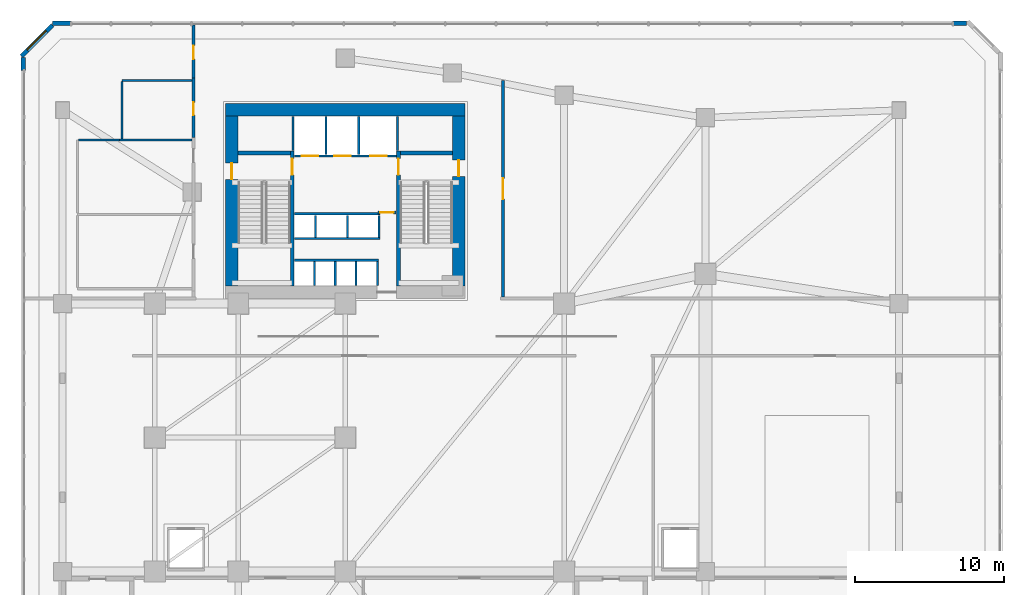
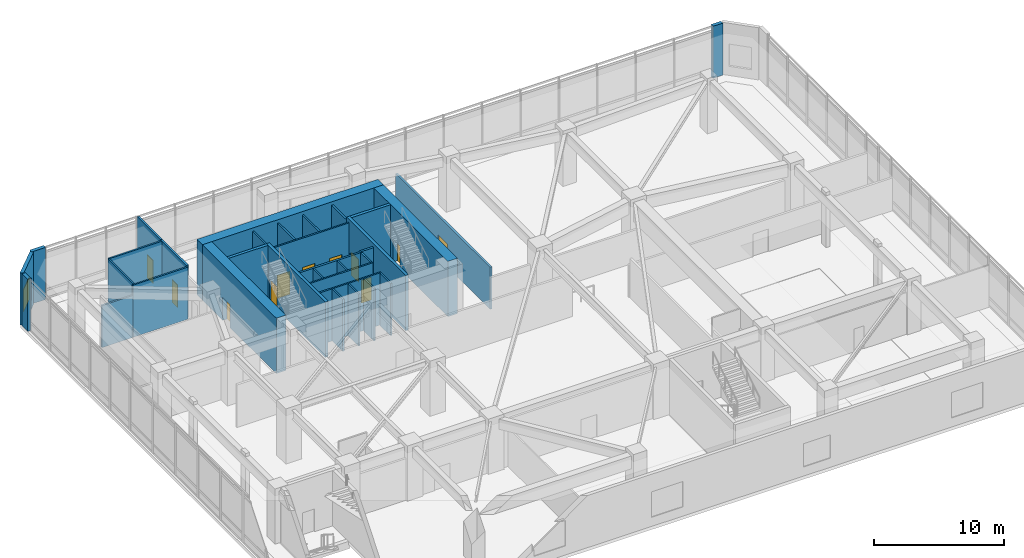
# One storey, part 11 of 16: 34 walls, 11 doors, 1 window, 12 openings.
"""IFC4 building model written with IfcOpenShell, lengths in metres."""

from ifc_helpers import new_model, si_unit, direction, frame, frame_2d, origin, place, context, subcontext, project, spatial, rectangle, extrude, source, transform, mapped, material, layer, layer_set, type_object, element, fill, save


model = new_model("IFC4")

# Units and contexts
model_context = context("Model", 3, precision=1e-05, world=origin(), true_north=direction((0.0, 1.0)))
body_context = subcontext(model_context, "Body", "Model", "MODEL_VIEW")
ifc_project = project(units=[si_unit("LENGTHUNIT", "METRE"), si_unit("AREAUNIT", "SQUARE_METRE"), si_unit("VOLUMEUNIT", "CUBIC_METRE"), si_unit("PLANEANGLEUNIT", "RADIAN"), si_unit("MASSUNIT", "GRAM", prefix="KILO")], contexts=[model_context])

# Site, building, storey
site_placement = place(None, origin())
site = spatial("IfcSite", under=ifc_project, at=site_placement, CompositionType="ELEMENT")
building_placement = place(site_placement, origin())
building = spatial("IfcBuilding", under=site, at=building_placement, Name="Calvemar Wedge Station Tower", CompositionType="ELEMENT")
storey_placement = place(building_placement, frame((0.0, 0.0, 6.0)))
storey = spatial("IfcBuildingStorey", under=building, at=storey_placement, Name="L02", CompositionType="ELEMENT", Elevation=6.0)

# Wall, opening, door
ifc_material_1 = material(Name="Concrete C50", Category="concrete")
ifc_layer_1 = layer(ifc_material_1, 0.260009765625)
ifc_layer_set_1 = layer_set([ifc_layer_1], Name="Concrete C50")
wall_type_1 = type_object("IfcWallType", Name="SW-CORE-260", PredefinedType="SHEAR", material=ifc_layer_set_1)
wall_1_placement = place(storey_placement, frame((20.22998046875, 34.199951171875, 0.0), z_axis=(0.0, 0.0, 1.0), x_axis=(0.0, 1.0, 0.0)))
wall_1 = element("IfcWall", 1, at=wall_1_placement, inside=storey, type_object=wall_type_1, Name="Storey L02 Core Shear Wall SPINE-W", PredefinedType="SHEAR", context=body_context, shape_type="SweptSolid", body=[
    extrude(rectangle(XDim=9.06005859375, YDim=0.260009765625, at=frame_2d((4.530029296875, 0.0))), origin(), (0.0, 0.0, 1.0), 5.199951171875),
])
shared_shape_1 = source(origin(), body_context, "Body", "SweptSolid", [
    extrude(rectangle(XDim=1.10009765625, YDim=2.14990234375, at=frame_2d((0.550048828125, 1.074951171875))), frame((0.0, 0.14013671875, 0.0), z_axis=(0.0, -1.0, 0.0), x_axis=(1.0, 0.0, 0.0)), (0.0, 0.0, 1.0), 0.280029296875),
])
opening_1_placement = place(wall_1_placement, frame((7.449951171875, 0.0, 0.0)))
opening_1 = element("IfcOpeningElement", 2, at=opening_1_placement, cuts=wall_1, Name="Opening FD-90", PredefinedType="OPENING", context=body_context, shape_type="MappedRepresentation", body=[
    mapped(shared_shape_1, transform((0.0, 0.0, 0.0), scale=1.0)),
])
ifc_material_2 = material(Name="Galvanized fire-rated steel door leaf P-90", Category="steel")
door_type_1 = type_object("IfcDoorType", Name="DR-FD90-1100", OperationType="NOTDEFINED", PredefinedType="DOOR", material=ifc_material_2)
shared_shape_2 = source(origin(), body_context, "Body", "SweptSolid", [
    extrude(rectangle(XDim=1.10009765625, YDim=2.14990234375, at=frame_2d((0.550048828125, 1.074951171875))), frame((0.0, 0.02490234375, 0.0), z_axis=(0.0, -1.0, 0.0), x_axis=(1.0, 0.0, 0.0)), (0.0, 0.0, 1.0), 0.050048828125),
])
door_1_placement = place(opening_1_placement, origin())
door_1 = element("IfcDoor", 3, at=door_1_placement, inside=storey, type_object=door_type_1, Name="L02 FF Lobby to Stair ST-C1 Door", OperationType="SINGLE_SWING_RIGHT", OverallHeight=2.14990234375, OverallWidth=1.10009765625, PredefinedType="DOOR", context=body_context, shape_type="MappedRepresentation", body=[
    mapped(shared_shape_2, transform((0.0, 0.0, 0.0), scale=1.0)),
])
fill(opening_1, door_1)

wall_2_placement = place(storey_placement, frame((27.3701171875, 34.199951171875, 0.0), z_axis=(0.0, 0.0, 1.0), x_axis=(0.0, 1.0, 0.0)))
wall_2 = element("IfcWall", 4, at=wall_2_placement, inside=storey, type_object=wall_type_1, Name="Storey L02 Core Shear Wall SPINE-E", PredefinedType="SHEAR", context=body_context, shape_type="SweptSolid", body=[
    extrude(rectangle(XDim=9.06005859375, YDim=0.260009765625, at=frame_2d((4.530029296875, 0.0))), origin(), (0.0, 0.0, 1.0), 5.199951171875),
])
opening_2_placement = place(wall_2_placement, frame((7.449951171875, 0.0, 0.0)))
opening_2 = element("IfcOpeningElement", 5, at=opening_2_placement, cuts=wall_2, Name="Opening FD-90", PredefinedType="OPENING", context=body_context, shape_type="MappedRepresentation", body=[
    mapped(shared_shape_1, transform((0.0, 0.0, 0.0), scale=1.0)),
])
door_2_placement = place(opening_2_placement, origin())
door_2 = element("IfcDoor", 6, at=door_2_placement, inside=storey, type_object=door_type_1, Name="L02 FF Lobby to Stair ST-C2 Door", OperationType="SINGLE_SWING_LEFT", OverallHeight=2.14990234375, OverallWidth=1.10009765625, PredefinedType="DOOR", context=body_context, shape_type="MappedRepresentation", body=[
    mapped(shared_shape_2, transform((0.0, 0.0, 0.0), scale=1.0)),
])
fill(opening_2, door_2)

# Walls
for number, where, z_axis, x_axis, name in (
    (7, (16.60009765625, 43.1298828125, 0.0), (0.0, 0.0, 1.0), (1.0, 0.0, 0.0), "Storey L02 Core Shear Wall STC1-N"),
    (8, (27.5, 43.1298828125, 0.0), (0.0, 0.0, 1.0), (1.0, 0.0, 0.0), "Storey L02 Core Shear Wall STC2-N"),
):
    element("IfcWall", number, at=place(storey_placement, frame(where, z_axis=z_axis, x_axis=x_axis)), inside=storey, type_object=wall_type_1, Name=name, PredefinedType="SHEAR", context=body_context, shape_type="SweptSolid", body=[
        extrude(rectangle(XDim=3.5, YDim=0.260009765625, at=frame_2d((1.75, 0.0))), origin(), (0.0, 0.0, 1.0), 5.199951171875),
    ])
ifc_material_3 = material(Name="Concrete C80", Category="concrete")
ifc_layer_2 = layer(ifc_material_3, 0.85009765625)
ifc_layer_set_2 = layer_set([ifc_layer_2], Name="Concrete C80")
wall_type_2 = type_object("IfcWallType", Name="SW-CORE-850", PredefinedType="SHEAR", material=ifc_layer_set_2)
wall_3_placement = place(storey_placement, frame((15.75, 46.02490234375, 0.0), z_axis=(0.0, 0.0, 1.0), x_axis=(1.0, 0.0, 0.0)))
element("IfcWall", 9, at=wall_3_placement, inside=storey, type_object=wall_type_2, Name="Storey L02 Core Shear Wall N", PredefinedType="SHEAR", context=body_context, shape_type="SweptSolid", body=[
    extrude(rectangle(XDim=16.10009765625, YDim=0.85009765625, at=frame_2d((8.050048828125, 0.0))), origin(), (0.0, 0.0, 1.0), 5.199951171875),
])

# Wall, opening, door
wall_4_placement = place(storey_placement, frame((16.175048828125, 34.199951171875, 0.0), z_axis=(0.0, 0.0, 1.0), x_axis=(0.0, 1.0, 0.0)))
wall_4 = element("IfcWall", 10, at=wall_4_placement, inside=storey, type_object=wall_type_2, Name="Storey L02 Core Shear Wall W", PredefinedType="SHEAR", context=body_context, shape_type="SweptSolid", body=[
    extrude(rectangle(XDim=11.400146484375, YDim=0.85009765625, at=frame_2d((5.7001953125, 0.0))), origin(), (0.0, 0.0, 1.0), 5.199951171875),
])
shared_shape_3 = source(origin(), body_context, "Body", "SweptSolid", [
    extrude(rectangle(XDim=1.10009765625, YDim=2.14990234375, at=frame_2d((0.550048828125, 1.074951171875))), frame((0.0, 0.43505859375, 0.0), z_axis=(0.0, -1.0, 0.0), x_axis=(1.0, 0.0, 0.0)), (0.0, 0.0, 1.0), 0.8701171875),
])
opening_3_placement = place(wall_4_placement, frame((7.14990234375, 0.0, 0.0)))
opening_3 = element("IfcOpeningElement", 11, at=opening_3_placement, cuts=wall_4, Name="Opening FD-90", PredefinedType="OPENING", context=body_context, shape_type="MappedRepresentation", body=[
    mapped(shared_shape_3, transform((0.0, 0.0, 0.0), scale=1.0)),
])
door_3_placement = place(opening_3_placement, origin())
door_3 = element("IfcDoor", 12, at=door_3_placement, inside=storey, type_object=door_type_1, Name="L02 West Corridor to Exit Stair ST-C1 Door", OperationType="SINGLE_SWING_RIGHT", OverallHeight=2.14990234375, OverallWidth=1.10009765625, PredefinedType="DOOR", context=body_context, shape_type="MappedRepresentation", body=[
    mapped(shared_shape_2, transform((0.0, 0.0, 0.0), scale=1.0)),
])
fill(opening_3, door_3)

wall_5_placement = place(storey_placement, frame((31.425048828125, 34.199951171875, 0.0), z_axis=(0.0, 0.0, 1.0), x_axis=(0.0, 1.0, 0.0)))
wall_5 = element("IfcWall", 13, at=wall_5_placement, inside=storey, type_object=wall_type_2, Name="Storey L02 Core Shear Wall E", PredefinedType="SHEAR", context=body_context, shape_type="SweptSolid", body=[
    extrude(rectangle(XDim=11.400146484375, YDim=0.85009765625, at=frame_2d((5.7001953125, 0.0))), origin(), (0.0, 0.0, 1.0), 5.199951171875),
])
opening_4_placement = place(wall_5_placement, frame((7.35009765625, 0.0, 0.0)))
opening_4 = element("IfcOpeningElement", 14, at=opening_4_placement, cuts=wall_5, Name="Opening FD-90", PredefinedType="OPENING", context=body_context, shape_type="MappedRepresentation", body=[
    mapped(shared_shape_3, transform((0.0, 0.0, 0.0), scale=1.0)),
])
door_4_placement = place(opening_4_placement, origin())
door_4 = element("IfcDoor", 15, at=door_4_placement, inside=storey, type_object=door_type_1, Name="L02 East Corridor to Exit Stair ST-C2 Door", OperationType="SINGLE_SWING_LEFT", OverallHeight=2.14990234375, OverallWidth=1.10009765625, PredefinedType="DOOR", context=body_context, shape_type="MappedRepresentation", body=[
    mapped(shared_shape_2, transform((0.0, 0.0, 0.0), scale=1.0)),
])
fill(opening_4, door_4)

ifc_material_4 = material(Name="Double-stud fire-rated corridor partition")
ifc_layer_3 = layer(ifc_material_4, 0.179931640625)
ifc_layer_set_3 = layer_set([ifc_layer_3], Name="Double-stud fire-rated corridor partition")
wall_type_3 = type_object("IfcWallType", Name="W-CORR-180", PredefinedType="PARTITIONING", material=ifc_layer_set_3)
wall_6_placement = place(storey_placement, frame((27.199951171875, 39.1298828125, 0.0), z_axis=(0.0, 0.0, 1.0), x_axis=(-1.0, 0.0, 0.0)))
wall_6 = element("IfcWall", 16, at=wall_6_placement, inside=storey, type_object=wall_type_3, Name="Storey L02 Interior Partition WL-L02-001", PredefinedType="PARTITIONING", context=body_context, shape_type="SweptSolid", body=[
    extrude(rectangle(XDim=1.2099609375, YDim=0.179931640625, at=frame_2d((0.60498046875, 0.0))), origin(), (0.0, 0.0, 1.0), 4.89990234375),
])
shared_shape_4 = source(origin(), body_context, "Body", "SweptSolid", [
    extrude(rectangle(XDim=0.89990234375, YDim=2.14990234375, at=frame_2d((0.449951171875, 1.074951171875))), frame((0.0, 0.10009765625, 0.0), z_axis=(0.0, -1.0, 0.0), x_axis=(1.0, 0.0, 0.0)), (0.0, 0.0, 1.0), 0.199951171875),
])
opening_5_placement = place(wall_6_placement, frame((0.155029296875, 0.0, 0.0)))
opening_5 = element("IfcOpeningElement", 17, at=opening_5_placement, cuts=wall_6, Name="Opening FD-60", PredefinedType="OPENING", context=body_context, shape_type="MappedRepresentation", body=[
    mapped(shared_shape_4, transform((0.0, 0.0, 0.0), scale=1.0)),
])
ifc_material_5 = material(Name="Fire-rated acoustic timber-core entrance door EI 60", Category="wood")
door_type_2 = type_object("IfcDoorType", Name="DR-FD60-900", OperationType="NOTDEFINED", PredefinedType="DOOR", material=ifc_material_5)
shared_shape_5 = source(origin(), body_context, "Body", "SweptSolid", [
    extrude(rectangle(XDim=0.89990234375, YDim=2.14990234375, at=frame_2d((0.449951171875, 1.074951171875))), frame((0.0, 0.02490234375, 0.0), z_axis=(0.0, -1.0, 0.0), x_axis=(1.0, 0.0, 0.0)), (0.0, 0.0, 1.0), 0.050048828125),
])
door_5_placement = place(opening_5_placement, origin())
door_5 = element("IfcDoor", 18, at=door_5_placement, inside=storey, type_object=door_type_2, Name="L02 Core Service Lobby Door", OperationType="SINGLE_SWING_RIGHT", OverallHeight=2.14990234375, OverallWidth=0.89990234375, PredefinedType="DOOR", context=body_context, shape_type="MappedRepresentation", body=[
    mapped(shared_shape_5, transform((0.0, 0.0, 0.0), scale=1.0)),
])
fill(opening_5, door_5)

wall_7_placement = place(storey_placement, frame((13.60009765625, 44.162109375, 0.0), z_axis=(0.0, 0.0, 1.0), x_axis=(0.0, 1.0, 0.0)))
wall_7 = element("IfcWall", 19, at=wall_7_placement, inside=storey, type_object=wall_type_3, Name="Storey L02 Interior Partition WL-L02-009", PredefinedType="PARTITIONING", context=body_context, shape_type="SweptSolid", body=[
    extrude(rectangle(XDim=3.997802734375, YDim=0.179931640625, at=frame_2d((1.9990234375, 0.0))), origin(), (0.0, 0.0, 1.0), 4.89990234375),
])
shared_shape_6 = source(origin(), body_context, "Body", "SweptSolid", [
    extrude(rectangle(XDim=0.85009765625, YDim=2.14990234375, at=frame_2d((0.425048828125, 1.074951171875))), frame((0.0, 0.10009765625, 0.0), z_axis=(0.0, -1.0, 0.0), x_axis=(1.0, 0.0, 0.0)), (0.0, 0.0, 1.0), 0.199951171875),
])
opening_6_placement = place(wall_7_placement, frame((1.512451171875, 0.0, 0.0)))
opening_6 = element("IfcOpeningElement", 20, at=opening_6_placement, cuts=wall_7, Name="Opening D-02", PredefinedType="OPENING", context=body_context, shape_type="MappedRepresentation", body=[
    mapped(shared_shape_6, transform((0.0, 0.0, 0.0), scale=1.0)),
])
ifc_material_6 = material(Name="Moisture-sealed bathroom hardwood swing door", Category="wood")
door_type_3 = type_object("IfcDoorType", Name="DR-WET-850", OperationType="NOTDEFINED", PredefinedType="DOOR", material=ifc_material_6)
shared_shape_7 = source(origin(), body_context, "Body", "SweptSolid", [
    extrude(rectangle(XDim=0.85009765625, YDim=2.14990234375, at=frame_2d((0.425048828125, 1.074951171875))), frame((0.0, 0.02490234375, 0.0), z_axis=(0.0, -1.0, 0.0), x_axis=(1.0, 0.0, 0.0)), (0.0, 0.0, 1.0), 0.050048828125),
])
door_6_placement = place(opening_6_placement, origin())
door_6 = element("IfcDoor", 21, at=door_6_placement, inside=storey, type_object=door_type_3, Name="L02 Accessible WC Door", OperationType="SINGLE_SWING_LEFT", OverallHeight=2.14990234375, OverallWidth=0.85009765625, PredefinedType="DOOR", context=body_context, shape_type="MappedRepresentation", body=[
    mapped(shared_shape_7, transform((0.0, 0.0, 0.0), scale=1.0)),
])
fill(opening_6, door_6)

wall_8_placement = place(storey_placement, frame((13.60009765625, 48.162109375, 0.0), z_axis=(0.0, 0.0, 1.0), x_axis=(0.0, 1.0, 0.0)))
wall_8 = element("IfcWall", 22, at=wall_8_placement, inside=storey, type_object=wall_type_3, Name="Storey L02 Interior Partition WL-L02-010", PredefinedType="PARTITIONING", context=body_context, shape_type="SweptSolid", body=[
    extrude(rectangle(XDim=3.572998046875, YDim=0.179931640625, at=frame_2d((1.78662109375, 0.0))), origin(), (0.0, 0.0, 1.0), 4.89990234375),
])
opening_7_placement = place(wall_8_placement, frame((1.2744140625, 0.0, 0.0)))
opening_7 = element("IfcOpeningElement", 23, at=opening_7_placement, cuts=wall_8, Name="Opening FD-60", PredefinedType="OPENING", context=body_context, shape_type="MappedRepresentation", body=[
    mapped(shared_shape_4, transform((0.0, 0.0, 0.0), scale=1.0)),
])
door_7_placement = place(opening_7_placement, origin())
door_7 = element("IfcDoor", 24, at=door_7_placement, inside=storey, type_object=door_type_2, Name="L02 L02 Podium Storage Room Door", OperationType="SINGLE_SWING_RIGHT", OverallHeight=2.14990234375, OverallWidth=0.89990234375, PredefinedType="DOOR", context=body_context, shape_type="MappedRepresentation", body=[
    mapped(shared_shape_5, transform((0.0, 0.0, 0.0), scale=1.0)),
])
fill(opening_7, door_7)

wall_9_placement = place(storey_placement, frame((34.39990234375, 48.0, 0.0), z_axis=(0.0, 0.0, 1.0), x_axis=(0.0, -1.0, 0.0)))
wall_9 = element("IfcWall", 25, at=wall_9_placement, inside=storey, type_object=wall_type_3, Name="Storey L02 Interior Partition WL-L02-012", PredefinedType="PARTITIONING", context=body_context, shape_type="SweptSolid", body=[
    extrude(rectangle(XDim=14.555908203125, YDim=0.179931640625, at=frame_2d((7.27783203125, 0.0))), origin(), (0.0, 0.0, 1.0), 3.94189453125),
])
shared_shape_8 = source(origin(), body_context, "Body", "SweptSolid", [
    extrude(rectangle(XDim=1.39990234375, YDim=2.14990234375, at=frame_2d((0.699951171875, 1.074951171875))), frame((0.0, 0.10009765625, 0.0), z_axis=(0.0, -1.0, 0.0), x_axis=(1.0, 0.0, 0.0)), (0.0, 0.0, 1.0), 0.199951171875),
])
opening_8_placement = place(wall_9_placement, frame((6.577880859375, 0.0, 0.0)))
opening_8 = element("IfcOpeningElement", 26, at=opening_8_placement, cuts=wall_9, Name="Opening DD-140", PredefinedType="OPENING", context=body_context, shape_type="MappedRepresentation", body=[
    mapped(shared_shape_8, transform((0.0, 0.0, 0.0), scale=1.0)),
])
ifc_material_7 = material(Name="Double-leaf corridor acoustic fire door EI 60")
door_type_4 = type_object("IfcDoorType", Name="DR-DBL-1400", OperationType="DOUBLE_DOOR_SINGLE_SWING", PredefinedType="DOOR", material=ifc_material_7)
shared_shape_9 = source(origin(), body_context, "Body", "SweptSolid", [
    extrude(rectangle(XDim=1.39990234375, YDim=2.14990234375, at=frame_2d((0.699951171875, 1.074951171875))), frame((0.0, 0.02490234375, 0.0), z_axis=(0.0, -1.0, 0.0), x_axis=(1.0, 0.0, 0.0)), (0.0, 0.0, 1.0), 0.050048828125),
])
door_8_placement = place(opening_8_placement, origin())
door_8 = element("IfcDoor", 27, at=door_8_placement, inside=storey, type_object=door_type_4, Name="L02 Transit Co-Working Studio Door", OperationType="SINGLE_SWING_RIGHT", OverallHeight=2.14990234375, OverallWidth=1.39990234375, PredefinedType="DOOR", context=body_context, shape_type="MappedRepresentation", body=[
    mapped(shared_shape_9, transform((0.0, 0.0, 0.0), scale=1.0)),
])
fill(opening_8, door_8)

# Walls
ifc_material_8 = material(Name="Precast concrete C45", Category="concrete")
ifc_layer_4 = layer(ifc_material_8, 0.300048828125)
ifc_layer_set_4 = layer_set([ifc_layer_4], Name="Precast concrete C45")
wall_type_4 = type_object("IfcWallType", Name="W-EXT-GFRC-300", PredefinedType="SOLIDWALL", material=ifc_layer_set_4)
wall_10_placement = place(storey_placement, frame((65.542724609375, 51.85009765625, 0.0), z_axis=(0.0, 0.0, 1.0), x_axis=(-1.0, 0.0, 0.0)))
element("IfcWall", 28, at=wall_10_placement, inside=storey, type_object=wall_type_4, Name="Storey L02 Bronze GFRC Corner Pier 4A", PredefinedType="SOLIDWALL", context=body_context, shape_type="SweptSolid", body=[
    extrude(rectangle(XDim=0.87744140625, YDim=0.300048828125, at=frame_2d((0.438720703125, 0.0))), origin(), (0.0, 0.0, 1.0), 4.89990234375),
])
wall_11_placement = place(storey_placement, frame((5.334716796875, 51.85009765625, 0.0), z_axis=(0.0, 0.0, 1.0), x_axis=(-1.0, 0.0, 0.0)))
element("IfcWall", 29, at=wall_11_placement, inside=storey, type_object=wall_type_4, Name="Storey L02 Bronze GFRC Corner Pier 4B", PredefinedType="SOLIDWALL", context=body_context, shape_type="SweptSolid", body=[
    extrude(rectangle(XDim=1.22265625, YDim=0.300048828125, at=frame_2d((0.611328125, 0.0))), origin(), (0.0, 0.0, 1.0), 4.89990234375),
])

# Wall, opening, window
wall_12_placement = place(storey_placement, frame((4.1240234375, 51.7119140625, 0.0), z_axis=(0.0, 0.0, 1.0), x_axis=(-0.707106781187, -0.707106781187, 0.0)))
wall_12 = element("IfcWall", 30, at=wall_12_placement, inside=storey, type_object=wall_type_4, Name="Storey L02 Bronze GFRC Exterior Wall 5", PredefinedType="SOLIDWALL", context=body_context, shape_type="SweptSolid", body=[
    extrude(rectangle(XDim=2.941650390625, YDim=0.300048828125, at=frame_2d((1.470703125, 0.0))), origin(), (0.0, 0.0, 1.0), 4.89990234375),
])
shared_shape_10 = source(origin(), body_context, "Body", "SweptSolid", [
    extrude(rectangle(XDim=1.800048828125, YDim=2.10009765625, at=frame_2d((0.89990234375, 1.050048828125))), frame((0.0, 0.16015625, 0.0), z_axis=(0.0, -1.0, 0.0), x_axis=(1.0, 0.0, 0.0)), (0.0, 0.0, 1.0), 0.320068359375),
])
opening_9_placement = place(wall_12_placement, frame((0.571044921875, 0.0, 0.85009765625)))
opening_9 = element("IfcOpeningElement", 31, at=opening_9_placement, cuts=wall_12, Name="Opening W2", PredefinedType="OPENING", context=body_context, shape_type="MappedRepresentation", body=[
    mapped(shared_shape_10, transform((0.0, 0.0, 0.0), scale=1.0)),
])
ifc_material_9 = material(Name="Low-E laminated insulated glass", Category="glass")
window_type = type_object("IfcWindowType", Name="WIN-EXT-2", PartitioningType="SINGLE_PANEL", PredefinedType="WINDOW", material=ifc_material_9)
shared_shape_11 = source(origin(), body_context, "Body", "SweptSolid", [
    extrude(rectangle(XDim=1.800048828125, YDim=2.10009765625, at=frame_2d((0.89990234375, 1.050048828125))), frame((0.0, -0.014892578125, 0.0), z_axis=(0.0, -1.0, 0.0), x_axis=(1.0, 0.0, 0.0)), (0.0, 0.0, 1.0), 0.06005859375),
])
window_placement = place(opening_9_placement, origin())
window = element("IfcWindow", 32, at=window_placement, inside=storey, type_object=window_type, Name="Storey L02 Recessed Window 5.1", OverallHeight=2.10009765625, OverallWidth=1.800048828125, PartitioningType="SINGLE_PANEL", PredefinedType="WINDOW", context=body_context, shape_type="MappedRepresentation", body=[
    mapped(shared_shape_11, transform((0.0, 0.0, 0.0), scale=1.0)),
])
fill(opening_9, window)

# Wall
wall_13_placement = place(storey_placement, frame((2.14990234375, 49.542724609375, 0.0), z_axis=(0.0, 0.0, 1.0), x_axis=(0.0, -1.0, 0.0)))
element("IfcWall", 33, at=wall_13_placement, inside=storey, type_object=wall_type_4, Name="Storey L02 Bronze GFRC Corner Pier 6A", PredefinedType="SOLIDWALL", context=body_context, shape_type="SweptSolid", body=[
    extrude(rectangle(XDim=0.87744140625, YDim=0.300048828125, at=frame_2d((0.438720703125, 0.0))), origin(), (0.0, 0.0, 1.0), 4.89990234375),
])

# Wall, openings, doors
ifc_material_10 = material(Name="Reinforced concrete blockwork lift shaft wall", Category="masonry")
ifc_layer_5 = layer(ifc_material_10, 0.139892578125)
ifc_layer_set_5 = layer_set([ifc_layer_5], Name="Reinforced concrete blockwork lift shaft wall")
wall_type_5 = type_object("IfcWallType", Name="W-LIFT-160", PredefinedType="SOLIDWALL", material=ifc_layer_set_5)
wall_14_placement = place(storey_placement, frame((20.3701171875, 42.929931640625, 0.0), z_axis=(0.0, 0.0, 1.0), x_axis=(1.0, 0.0, 0.0)))
wall_14 = element("IfcWall", 34, at=wall_14_placement, inside=storey, type_object=wall_type_5, Name="Storey L02 Firefighting and Service Lift Shaft Front Wall", PredefinedType="SOLIDWALL", context=body_context, shape_type="SweptSolid", body=[
    extrude(rectangle(XDim=6.85986328125, YDim=0.139892578125, at=frame_2d((3.429931640625, 0.0))), origin(), (0.0, 0.0, 1.0), 4.89990234375),
])
shared_shape_12 = source(origin(), body_context, "Body", "SweptSolid", [
    extrude(rectangle(XDim=1.10009765625, YDim=2.14990234375, at=frame_2d((0.550048828125, 1.074951171875))), frame((0.0, 0.080078125, 0.0), z_axis=(0.0, -1.0, 0.0), x_axis=(1.0, 0.0, 0.0)), (0.0, 0.0, 1.0), 0.159912109375),
])
opening_10_placement = place(wall_14_placement, frame((0.5, 0.0, 0.0)))
opening_10 = element("IfcOpeningElement", 35, at=opening_10_placement, cuts=wall_14, Name="Opening LD-FF", PredefinedType="OPENING", context=body_context, shape_type="MappedRepresentation", body=[
    mapped(shared_shape_12, transform((0.0, 0.0, 0.0), scale=1.0)),
])
opening_11_placement = place(wall_14_placement, frame((2.699951171875, 0.0, 0.0)))
opening_11 = element("IfcOpeningElement", 36, at=opening_11_placement, cuts=wall_14, Name="Opening LD-FF", PredefinedType="OPENING", context=body_context, shape_type="MappedRepresentation", body=[
    mapped(shared_shape_12, transform((0.0, 0.0, 0.0), scale=1.0)),
])
opening_12_placement = place(wall_14_placement, frame((5.10009765625, 0.0, 0.0)))
opening_12 = element("IfcOpeningElement", 37, at=opening_12_placement, cuts=wall_14, Name="Opening LD-STN", PredefinedType="OPENING", context=body_context, shape_type="MappedRepresentation", body=[
    mapped(shared_shape_12, transform((0.0, 0.0, 0.0), scale=1.0)),
])
ifc_material_11 = material(Name="Stainless steel firefighting lift sliding landing door", Category="steel")
door_type_5 = type_object("IfcDoorType", Name="DR-LD-FF-1100", OperationType="SLIDING_TO_LEFT", PredefinedType="DOOR", material=ifc_material_11)
shared_shape_13 = source(origin(), body_context, "Body", "SweptSolid", [
    extrude(rectangle(XDim=1.10009765625, YDim=2.14990234375, at=frame_2d((0.550048828125, 1.074951171875))), frame((0.0, 0.02490234375, 0.0), z_axis=(0.0, -1.0, 0.0), x_axis=(1.0, 0.0, 0.0)), (0.0, 0.0, 1.0), 0.050048828125),
])
door_9_placement = place(opening_10_placement, origin())
door_9 = element("IfcDoor", 38, at=door_9_placement, inside=storey, type_object=door_type_5, Name="L02 Lift FF-01 Sliding Landing Door", OperationType="SLIDING_TO_LEFT", OverallHeight=2.14990234375, OverallWidth=1.10009765625, PredefinedType="DOOR", context=body_context, shape_type="MappedRepresentation", body=[
    mapped(shared_shape_13, transform((0.0, 0.0, 0.0), scale=1.0)),
])
fill(opening_10, door_9)
door_10_placement = place(opening_11_placement, origin())
door_10 = element("IfcDoor", 39, at=door_10_placement, inside=storey, type_object=door_type_5, Name="L02 Lift FF-02 Sliding Landing Door", OperationType="SLIDING_TO_RIGHT", OverallHeight=2.14990234375, OverallWidth=1.10009765625, PredefinedType="DOOR", context=body_context, shape_type="MappedRepresentation", body=[
    mapped(shared_shape_13, transform((0.0, 0.0, 0.0), scale=1.0)),
])
fill(opening_11, door_10)
ifc_material_12 = material(Name="Stainless steel transit lift sliding landing door", Category="steel")
door_type_6 = type_object("IfcDoorType", Name="DR-LD-PAX-1100", OperationType="SLIDING_TO_LEFT", PredefinedType="DOOR", material=ifc_material_12)
shared_shape_14 = source(origin(), body_context, "Body", "SweptSolid", [
    extrude(rectangle(XDim=1.10009765625, YDim=2.14990234375, at=frame_2d((0.550048828125, 1.074951171875))), frame((0.0, 0.02490234375, 0.0), z_axis=(0.0, -1.0, 0.0), x_axis=(1.0, 0.0, 0.0)), (0.0, 0.0, 1.0), 0.050048828125),
])
door_11_placement = place(opening_12_placement, origin())
door_11 = element("IfcDoor", 40, at=door_11_placement, inside=storey, type_object=door_type_6, Name="L02 Lift SV-01 Sliding Landing Door", OperationType="SLIDING_TO_LEFT", OverallHeight=2.14990234375, OverallWidth=1.10009765625, PredefinedType="DOOR", context=body_context, shape_type="MappedRepresentation", body=[
    mapped(shared_shape_14, transform((0.0, 0.0, 0.0), scale=1.0)),
])
fill(opening_12, door_11)

# Walls
for number, where, z_axis, x_axis, name in (
    (41, (20.2900390625, 43.280029296875, 0.0), (0.0, 0.0, 1.0), (0.0, 1.0, 0.0), "Storey L02 Firefighting Lift Shaft Enclosure Wall W"),
    (42, (27.31005859375, 43.280029296875, 0.0), (0.0, 0.0, 1.0), (0.0, 1.0, 0.0), "Storey L02 Firefighting Lift Shaft Enclosure Wall E"),
):
    element("IfcWall", number, at=place(storey_placement, frame(where, z_axis=z_axis, x_axis=x_axis)), inside=storey, type_object=wall_type_5, Name=name, PredefinedType="SOLIDWALL", context=body_context, shape_type="SweptSolid", body=[
        extrude(rectangle(XDim=2.300048828125, YDim=0.139892578125, at=frame_2d((1.14990234375, 0.0))), origin(), (0.0, 0.0, 1.0), 4.89990234375),
    ])
for number, where, z_axis, x_axis, name in (
    (43, (22.5, 43.02001953125, 0.0), (0.0, 0.0, 1.0), (0.0, 1.0, 0.0), "Storey L02 Firefighting Lift Shaft Enclosure Wall D1"),
    (44, (24.699951171875, 43.02001953125, 0.0), (0.0, 0.0, 1.0), (0.0, 1.0, 0.0), "Storey L02 Firefighting Lift Shaft Enclosure Wall D2"),
):
    element("IfcWall", number, at=place(storey_placement, frame(where, z_axis=z_axis, x_axis=x_axis)), inside=storey, type_object=wall_type_5, Name=name, PredefinedType="SOLIDWALL", context=body_context, shape_type="SweptSolid", body=[
        extrude(rectangle(XDim=2.56005859375, YDim=0.139892578125, at=frame_2d((1.280029296875, 0.0))), origin(), (0.0, 0.0, 1.0), 4.89990234375),
    ])
wall_15_placement = place(storey_placement, frame((20.3798828125, 35.919921875, 0.0), z_axis=(0.0, 0.0, 1.0), x_axis=(1.0, 0.0, 0.0)))
element("IfcWall", 45, at=wall_15_placement, inside=storey, type_object=wall_type_5, Name="Storey L02 South Passenger Lift Bank Front Wall", PredefinedType="SOLIDWALL", context=body_context, shape_type="SweptSolid", body=[
    extrude(rectangle(XDim=5.650146484375, YDim=0.139892578125, at=frame_2d((2.8251953125, 0.0))), origin(), (0.0, 0.0, 1.0), 4.89990234375),
])
for number, where, z_axis, x_axis, name in (
    (46, (25.9599609375, 34.219970703125, 0.0), (0.0, 0.0, 1.0), (0.0, 1.0, 0.0), "Storey L02 South Passenger Lift Shaft Wall E"),
    (47, (21.735107421875, 34.219970703125, 0.0), (0.0, 0.0, 1.0), (0.0, 1.0, 0.0), "Storey L02 South Passenger Lift Shaft Wall D1"),
    (48, (23.125, 34.219970703125, 0.0), (0.0, 0.0, 1.0), (0.0, 1.0, 0.0), "Storey L02 South Passenger Lift Shaft Wall D2"),
    (49, (24.514892578125, 34.219970703125, 0.0), (0.0, 0.0, 1.0), (0.0, 1.0, 0.0), "Storey L02 South Passenger Lift Shaft Wall D3"),
):
    element("IfcWall", number, at=place(storey_placement, frame(where, z_axis=z_axis, x_axis=x_axis)), inside=storey, type_object=wall_type_5, Name=name, PredefinedType="SOLIDWALL", context=body_context, shape_type="SweptSolid", body=[
        extrude(rectangle(XDim=1.6201171875, YDim=0.139892578125, at=frame_2d((0.81005859375, 0.0))), origin(), (0.0, 0.0, 1.0), 4.89990234375),
    ])
wall_16_placement = place(storey_placement, frame((20.3798828125, 37.3798828125, 0.0), z_axis=(0.0, 0.0, 1.0), x_axis=(1.0, 0.0, 0.0)))
element("IfcWall", 50, at=wall_16_placement, inside=storey, type_object=wall_type_5, Name="Storey L02 Upper Passenger Lift Bank Front Wall", PredefinedType="SOLIDWALL", context=body_context, shape_type="SweptSolid", body=[
    extrude(rectangle(XDim=5.75, YDim=0.139892578125, at=frame_2d((2.875, 0.0))), origin(), (0.0, 0.0, 1.0), 4.89990234375),
])
for number, where, z_axis, x_axis, name in (
    (51, (26.06005859375, 37.4599609375, 0.0), (0.0, 0.0, 1.0), (0.0, 1.0, 0.0), "Storey L02 Upper Passenger Lift Shaft Wall E"),
    (52, (21.794921875, 37.4599609375, 0.0), (0.0, 0.0, 1.0), (0.0, 1.0, 0.0), "Storey L02 Upper Passenger Lift Shaft Wall D1"),
    (53, (23.93505859375, 37.4599609375, 0.0), (0.0, 0.0, 1.0), (0.0, 1.0, 0.0), "Storey L02 Upper Passenger Lift Shaft Wall D2"),
):
    element("IfcWall", number, at=place(storey_placement, frame(where, z_axis=z_axis, x_axis=x_axis)), inside=storey, type_object=wall_type_5, Name=name, PredefinedType="SOLIDWALL", context=body_context, shape_type="SweptSolid", body=[
        extrude(rectangle(XDim=1.47998046875, YDim=0.139892578125, at=frame_2d((0.739990234375, 0.0))), origin(), (0.0, 0.0, 1.0), 4.89990234375),
    ])
ifc_material_13 = material(Name="Concrete blockwork and fireboard shaft wall", Category="masonry")
ifc_layer_6 = layer(ifc_material_13, 0.199951171875)
ifc_layer_set_6 = layer_set([ifc_layer_6], Name="Concrete blockwork and fireboard shaft wall")
wall_type_6 = type_object("IfcWallType", Name="W-SHAFT-200", PredefinedType="SOLIDWALL", material=ifc_layer_set_6)
wall_17_placement = place(storey_placement, frame((20.3798828125, 39.0400390625, 0.0), z_axis=(0.0, 0.0, 1.0), x_axis=(1.0, 0.0, 0.0)))
element("IfcWall", 54, at=wall_17_placement, inside=storey, type_object=wall_type_6, Name="Storey L02 Upper Passenger Lift Bank Rear Shaft Wall", PredefinedType="SOLIDWALL", context=body_context, shape_type="SweptSolid", body=[
    extrude(rectangle(XDim=5.75, YDim=0.179931640625, at=frame_2d((2.875, 0.0))), origin(), (0.0, 0.0, 1.0), 4.89990234375),
])
ifc_material_14 = material(Name="Moisture-resistant acoustic bathroom partition")
ifc_layer_7 = layer(ifc_material_14, 0.14990234375)
ifc_layer_set_7 = layer_set([ifc_layer_7], Name="Moisture-resistant acoustic bathroom partition")
wall_type_7 = type_object("IfcWallType", Name="W-WET-150", PredefinedType="PARTITIONING", material=ifc_layer_set_7)
wall_18_placement = place(storey_placement, frame((8.639892578125, 44.0, 0.0), z_axis=(0.0, 0.0, 1.0), x_axis=(1.0, 0.0, 0.0)))
element("IfcWall", 55, at=wall_18_placement, inside=storey, type_object=wall_type_7, Name="Storey L02 Interior Partition WL-L02-016", PredefinedType="PARTITIONING", context=body_context, shape_type="SweptSolid", body=[
    extrude(rectangle(XDim=4.8662109375, YDim=0.14990234375, at=frame_2d((2.43310546875, 0.0))), origin(), (0.0, 0.0, 1.0), 4.89990234375),
])
wall_19_placement = place(storey_placement, frame((5.87890625, 44.0, 0.0), z_axis=(0.0, 0.0, 1.0), x_axis=(1.0, 0.0, 0.0)))
element("IfcWall", 56, at=wall_19_placement, inside=storey, type_object=wall_type_7, Name="Storey L02 Interior Partition WL-L02-018", PredefinedType="PARTITIONING", context=body_context, shape_type="SweptSolid", body=[
    extrude(rectangle(XDim=2.759033203125, YDim=0.14990234375, at=frame_2d((1.37939453125, 0.0))), origin(), (0.0, 0.0, 1.0), 3.94189453125),
])
wall_20_placement = place(storey_placement, frame((8.800048828125, 48.0, 0.0), z_axis=(0.0, 0.0, 1.0), x_axis=(1.0, 0.0, 0.0)))
element("IfcWall", 57, at=wall_20_placement, inside=storey, type_object=wall_type_7, Name="Storey L02 Interior Partition WL-L02-019", PredefinedType="PARTITIONING", context=body_context, shape_type="SweptSolid", body=[
    extrude(rectangle(XDim=4.7060546875, YDim=0.14990234375, at=frame_2d((2.35302734375, 0.0))), origin(), (0.0, 0.0, 1.0), 4.89990234375),
])
wall_21_placement = place(storey_placement, frame((8.800048828125, 44.0791015625, 0.0), z_axis=(0.0, 0.0, 1.0), x_axis=(0.0, 1.0, 0.0)))
element("IfcWall", 58, at=wall_21_placement, inside=storey, type_object=wall_type_7, Name="Storey L02 Interior Partition WL-L02-020", PredefinedType="PARTITIONING", context=body_context, shape_type="SweptSolid", body=[
    extrude(rectangle(XDim=3.841796875, YDim=0.14990234375, at=frame_2d((1.9208984375, 0.0))), origin(), (0.0, 0.0, 1.0), 4.89990234375),
])

save(model, "model.ifc")
